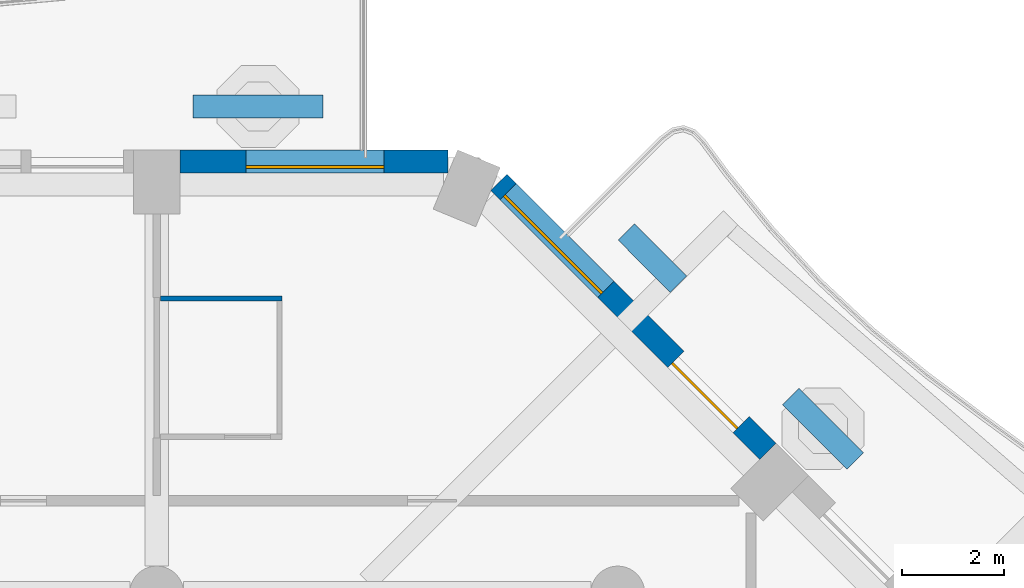
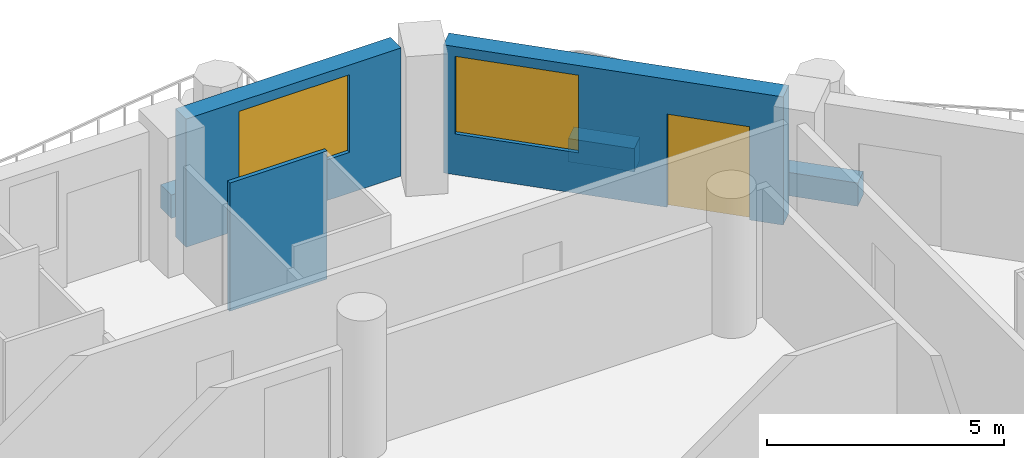
# One storey, part 10 of 20: 6 walls, 2 windows, 1 door, 3 openings.
"""IFC4 building model written with IfcOpenShell, lengths in metres."""

import ifcopenshell
import ifcopenshell.guid

model = None  # the IFC model being written
_history = None  # IfcOwnerHistory: only IFC2X3 demands one
_inside = {}  # id of a spatial element -> (the spatial element, [elements in it])
_under = {}  # id of a project, library or spatial element -> (it, [spatial elements below it])
_declared = {}  # id of a project -> (the project, [libraries it declares])
_typed = {}  # id of a type object -> (the type object, [elements of that type])
_made_of = {}  # id of a material, layer set ... -> (it, [elements and type objects made of it])


def new_model(schema):
    """Start an empty IFC model of exactly this schema.

    Asked for "IFC4X3", IfcOpenShell would pick the latest addendum, in which some entities
    have other attributes; the version numbers below select the first issue.
    IFC2X3 requires an IfcOwnerHistory on every rooted entity: one is made here for all.
    """
    global model, _history
    if schema == "IFC4X3":
        model = ifcopenshell.file(schema_version=(4, 3, 0, 0))
    else:
        model = ifcopenshell.file(schema=schema)
    _inside.clear()
    _under.clear()
    _declared.clear()
    _typed.clear()
    _made_of.clear()
    _history = None
    if model.schema == "IFC2X3":
        org = make("IfcOrganization", Name="unknown")
        user = make(
            "IfcPersonAndOrganization",
            ThePerson=make("IfcPerson", FamilyName="unknown"),
            TheOrganization=org,
        )
        app = make(
            "IfcApplication",
            ApplicationDeveloper=org,
            Version="unknown",
            ApplicationFullName="unknown",
            ApplicationIdentifier="unknown",
        )
        _history = make(
            "IfcOwnerHistory",
            OwningUser=user,
            OwningApplication=app,
            ChangeAction="ADDED",
            CreationDate=0,
        )
    return model


def make(cls, **values):
    """One entity of the class cls with the attributes given. An attribute that is None is left unset."""
    return model.create_entity(
        cls, **{name: value for name, value in values.items() if value is not None}
    )


def rooted(cls, **values):
    """An entity with a GlobalId (a new one), such as an element, a storey or a relation."""
    return make(cls, GlobalId=ifcopenshell.guid.new(), OwnerHistory=_history, **values)


def si_unit(unit_type, name, prefix=None):
    """IfcSIUnit, for example si_unit("LENGTHUNIT", "METRE", prefix="MILLI")."""
    return make("IfcSIUnit", UnitType=unit_type, Prefix=prefix, Name=name)


def assignment(units):
    """IfcUnitAssignment: the units of a project."""
    return None if units is None else make("IfcUnitAssignment", Units=units)


def point(xyz):
    """IfcCartesianPoint."""
    return None if xyz is None else make("IfcCartesianPoint", Coordinates=xyz)


def direction(xyz):
    """IfcDirection."""
    return None if xyz is None else make("IfcDirection", DirectionRatios=xyz)


def frame(location, z_axis=None, x_axis=None):
    """IfcAxis2Placement3D, a coordinate frame: its origin and axes. An axis left out is left unset."""
    return make(
        "IfcAxis2Placement3D",
        Location=point(location),
        Axis=direction(z_axis),
        RefDirection=direction(x_axis),
    )


def frame_2d(location, x_axis=None):
    """IfcAxis2Placement2D, a coordinate frame in the plane: its origin and x axis."""
    return make(
        "IfcAxis2Placement2D", Location=point(location), RefDirection=direction(x_axis)
    )


def origin():
    """The frame at (0, 0, 0) with its axes left unset."""
    return frame((0.0, 0.0, 0.0))


def place(relative_to, where):
    """IfcLocalPlacement: puts the frame where relative to a parent placement (None: the world)."""
    return make(
        "IfcLocalPlacement", PlacementRelTo=relative_to, RelativePlacement=where
    )


def context(
    kind, dimensions, precision=None, world=None, true_north=None, identifier=None
):
    """IfcGeometricRepresentationContext, for example the 3D "Model" context."""
    return make(
        "IfcGeometricRepresentationContext",
        ContextIdentifier=identifier,
        ContextType=kind,
        CoordinateSpaceDimension=dimensions,
        Precision=precision,
        WorldCoordinateSystem=world,
        TrueNorth=true_north,
    )


def subcontext(parent, identifier, kind, view, scale=None):
    """IfcGeometricRepresentationSubContext, for example "Body" below "Model"."""
    return make(
        "IfcGeometricRepresentationSubContext",
        ContextIdentifier=identifier,
        ContextType=kind,
        ParentContext=parent,
        TargetScale=scale,
        TargetView=view,
    )


def project(units=None, contexts=None):
    """IfcProject with its units and contexts."""
    return rooted(
        "IfcProject",
        Name="project",
        RepresentationContexts=contexts,
        UnitsInContext=assignment(units),
    )


def spatial(cls, under=None, at=None, **own):
    """A site, building, storey or space (cls), placed at a placement, below another one or the project."""
    s = rooted(cls, ObjectPlacement=at, **own)
    if under is not None:
        _under.setdefault(under.id(), (under, []))[1].append(s)
    return s


def profile(cls, at=None, kind="AREA", **sizes):
    """A parametric profile (cls). Its sizes go by their IFC names, for example OverallWidth=200.0."""
    return make(cls, ProfileType=kind, Position=at, **sizes)


def rectangle(**sizes):
    """IfcRectangleProfileDef."""
    return profile("IfcRectangleProfileDef", **sizes)


def extrude(swept, where, along, depth):
    """IfcExtrudedAreaSolid: the profile swept, set in the frame where, extruded along a direction by depth."""
    return make(
        "IfcExtrudedAreaSolid",
        SweptArea=swept,
        Position=where,
        ExtrudedDirection=direction(along),
        Depth=depth,
    )


def shape(context_of_items, identifier, shape_type, items):
    """IfcShapeRepresentation: the items that make up one representation, for example the "Body"."""
    return make(
        "IfcShapeRepresentation",
        ContextOfItems=context_of_items,
        RepresentationIdentifier=identifier,
        RepresentationType=shape_type,
        Items=items,
    )


def material(Name=None, Category=None):
    """IfcMaterial."""
    return make("IfcMaterial", Name=Name, Category=Category)


def layer(
    of_material, thickness, ventilated=None, Name=None, Category=None, Priority=None
):
    """IfcMaterialLayer: one layer of a wall or slab, of a material (None: an air gap)."""
    return make(
        "IfcMaterialLayer",
        Material=of_material,
        LayerThickness=thickness,
        IsVentilated=ventilated,
        Name=Name,
        Category=Category,
        Priority=Priority,
    )


def layer_set(layers, Name=None):
    """IfcMaterialLayerSet."""
    return make("IfcMaterialLayerSet", MaterialLayers=layers, LayerSetName=Name)


def made_of(thing, what):
    """Note that an element or type object is made of a material, layer set ...; save() writes the relation."""
    if what is not None:
        _made_of.setdefault(what.id(), (what, []))[1].append(thing)
    return thing


def type_object(cls, material=None, **own):
    """A type object (cls), such as IfcWallType, which elements share."""
    return made_of(rooted(cls, **own), material)


def element(
    cls,
    number,
    at=None,
    inside=None,
    cuts=None,
    type_object=None,
    material=None,
    context=None,
    identifier="Body",
    shape_type=None,
    held_by="IfcProductDefinitionShape",
    body=None,
    shapes=None,
    **own,
):
    """One element of the class cls, such as IfcWall. Its Tag is "e" and its number.

    at: its placement. inside: the storey or other place that contains it. cuts: it is an
    opening in that element (IfcRelVoidsElement). A single representation is given by context,
    identifier, shape_type and body (its items); several are given by shapes. held_by: the class
    of the entity that holds the representations. save() writes the other relations.
    """
    e = rooted(cls, Tag="e%d" % number, ObjectPlacement=at, **own)
    if body is not None:
        shapes = [shape(context, identifier, shape_type, body)]
    if shapes is not None:
        e.Representation = make(held_by, Representations=shapes)
    if inside is not None:
        _inside.setdefault(inside.id(), (inside, []))[1].append(e)
    if cuts is not None:
        rooted(
            "IfcRelVoidsElement", RelatingBuildingElement=cuts, RelatedOpeningElement=e
        )
    if type_object is not None:
        _typed.setdefault(type_object.id(), (type_object, []))[1].append(e)
    return made_of(e, material)


def fill(opening, filler):
    """IfcRelFillsElement: the door or window that sits in an opening."""
    return rooted(
        "IfcRelFillsElement",
        RelatingOpeningElement=opening,
        RelatedBuildingElement=filler,
    )


def aggregate(whole, parts):
    """IfcRelAggregates: a whole, such as a stair, and the parts it consists of."""
    return rooted("IfcRelAggregates", RelatingObject=whole, RelatedObjects=parts)


def save(model, path):
    """Write the relations noted so far, then the file.

    IfcRelAggregates (storeys below a building ...), IfcRelContainedInSpatialStructure (elements
    in a storey), IfcRelDefinesByType, IfcRelAssociatesMaterial and IfcRelDeclares: one each for
    every whole, place, type object, material and project.
    """
    for whole, parts in _under.values():
        aggregate(whole, parts)
    for where, things in _inside.values():
        rooted(
            "IfcRelContainedInSpatialStructure",
            RelatedElements=things,
            RelatingStructure=where,
        )
    for kind, things in _typed.values():
        rooted("IfcRelDefinesByType", RelatedObjects=things, RelatingType=kind)
    for what, things in _made_of.values():
        rooted("IfcRelAssociatesMaterial", RelatedObjects=things, RelatingMaterial=what)
    for by, libraries in _declared.values():
        rooted("IfcRelDeclares", RelatingContext=by, RelatedDefinitions=libraries)
    model.write(path)


model = new_model("IFC4")

# Units and contexts
model_context = context("Model", 3, precision=1e-05, world=origin(), true_north=direction((0.0, 1.0)))
body_context = subcontext(model_context, "Body", "Model", "MODEL_VIEW")
ifc_project = project(units=[si_unit("LENGTHUNIT", "METRE"), si_unit("AREAUNIT", "SQUARE_METRE"), si_unit("VOLUMEUNIT", "CUBIC_METRE"), si_unit("PLANEANGLEUNIT", "RADIAN"), si_unit("MASSUNIT", "GRAM", prefix="KILO")], contexts=[model_context])

# Site, building, storey
site_placement = place(None, origin())
site = spatial("IfcSite", under=ifc_project, at=site_placement, CompositionType="ELEMENT")
building_placement = place(site_placement, origin())
building = spatial("IfcBuilding", under=site, at=building_placement, Name="Cypress Arch Tower", CompositionType="ELEMENT")
storey_placement = place(building_placement, frame((0.0, 0.0, 120.300048828125)))
storey = spatial("IfcBuildingStorey", under=building, at=storey_placement, Name="L25", CompositionType="ELEMENT", Elevation=120.300048828125)

# Walls
ifc_material_1 = material(Name="Concrete C40/50, waterproofed", Category="concrete")
ifc_layer_1 = layer(ifc_material_1, 0.449951171875)
ifc_layer_set_1 = layer_set([ifc_layer_1], Name="Balcony planter wall PW450")
wall_type_1 = type_object("IfcWallType", Name="Balcony planter wall PW450", PredefinedType="SOLIDWALL", material=ifc_layer_set_1)
wall_1_placement = place(storey_placement, frame((19.9365234375, 20.07763671875, 0.0), z_axis=(0.0, 0.0, 1.0), x_axis=(-0.707106781187, 0.707106781187, 0.0)))
element("IfcWall", 1, at=wall_1_placement, inside=storey, type_object=wall_type_1, Name="Balcony planter wall L25-A07.2", PredefinedType="SOLIDWALL", context=body_context, shape_type="SweptSolid", body=[
    extrude(rectangle(XDim=1.780517578125, YDim=0.449951171875, at=frame_2d((0.89013671875, 0.0))), origin(), (0.0, 0.0, 1.0), 0.599853515625),
])
wall_2_placement = place(storey_placement, frame((16.485595703125, 23.528564453125, 0.0), z_axis=(0.0, 0.0, 1.0), x_axis=(-0.707022305137, 0.707191247145, 0.0)))
element("IfcWall", 2, at=wall_2_placement, inside=storey, type_object=wall_type_1, Name="Balcony planter wall L25-A07.3", PredefinedType="SOLIDWALL", context=body_context, shape_type="SweptSolid", body=[
    extrude(rectangle(XDim=1.445068359375, YDim=0.449951171875, at=frame_2d((0.72265625, 0.0))), origin(), (0.0, 0.0, 1.0), 0.599853515625),
])
wall_3_placement = place(storey_placement, frame((9.550048828125, 27.0, 0.0), z_axis=(0.0, 0.0, 1.0), x_axis=(-1.0, 0.0, 0.0)))
element("IfcWall", 3, at=wall_3_placement, inside=storey, type_object=wall_type_1, Name="Balcony planter wall L25-A08.1", PredefinedType="SOLIDWALL", context=body_context, shape_type="SweptSolid", body=[
    extrude(rectangle(XDim=2.53759765625, YDim=0.449951171875, at=frame_2d((1.268798828125, 0.0))), origin(), (0.0, 0.0, 1.0), 0.599853515625),
])

# Wall, openings, door, window
ifc_material_2 = material(Name="Brick (red buff blend)", Category="masonry")
ifc_layer_2 = layer(ifc_material_2, 0.449951171875)
ifc_layer_set_2 = layer_set([ifc_layer_2], Name="Brick pier and spandrel wall BW450")
wall_type_2 = type_object("IfcWallType", Name="Brick pier and spandrel wall BW450", PredefinedType="SOLIDWALL", material=ifc_layer_set_2)
wall_4_placement = place(storey_placement, frame((18.228759765625, 20.26513671875, 0.0), z_axis=(0.0, 0.0, 1.0), x_axis=(-0.707106781187, 0.707106781187, 0.0)))
wall_4 = element("IfcWall", 4, at=wall_4_placement, inside=storey, type_object=wall_type_2, Name="Brick wall L25 A07.1", PredefinedType="SOLIDWALL", context=body_context, shape_type="SweptSolid", body=[
    extrude(rectangle(XDim=7.423828125, YDim=0.449951171875, at=frame_2d((3.7119140625, 0.0))), origin(), (0.0, 0.0, 1.0), 3.300048828125),
])
opening_1_placement = place(wall_4_placement, frame((0.740234375, 0.0, 0.0)))
opening_1 = element("IfcOpeningElement", 5, at=opening_1_placement, cuts=wall_4, Name="Opening D-L25-A07.1.1", PredefinedType="OPENING", context=body_context, shape_type="SweptSolid", body=[
    extrude(rectangle(XDim=1.800048828125, YDim=2.39990234375, at=frame_2d((0.89990234375, 1.199951171875))), frame((0.0, 0.23486328125, 0.0), z_axis=(0.0, -1.0, 0.0), x_axis=(1.0, 0.0, 0.0)), (0.0, 0.0, 1.0), 0.469970703125),
])
opening_2_placement = place(wall_4_placement, frame((4.470703125, 0.0, 1.050048828125)))
opening_2 = element("IfcOpeningElement", 6, at=opening_2_placement, cuts=wall_4, Name="Opening W270HD", PredefinedType="OPENING", context=body_context, shape_type="SweptSolid", body=[
    extrude(rectangle(XDim=2.699951171875, YDim=2.0, at=frame_2d((1.35009765625, 1.0))), frame((0.0, 0.23486328125, 0.0), z_axis=(0.0, -1.0, 0.0), x_axis=(1.0, 0.0, 0.0)), (0.0, 0.0, 1.0), 0.469970703125),
])
ifc_material_3 = material(Name="Anodised aluminium, bronze finish, laminated low-emissivity double glazing, large-missile impact rated", Category="aluminium")
door_type = type_object("IfcDoorType", Name="Balcony sliding door 1800x2400", OperationType="SLIDING_TO_LEFT", PredefinedType="DOOR", material=ifc_material_3)
door_placement = place(opening_1_placement, origin())
door = element("IfcDoor", 7, at=door_placement, inside=storey, type_object=door_type, Name="Balcony door L25 A07.1.1", OperationType="SLIDING_TO_LEFT", OverallHeight=2.39990234375, OverallWidth=1.800048828125, PredefinedType="DOOR", context=body_context, shape_type="SweptSolid", body=[
    extrude(rectangle(XDim=1.800048828125, YDim=2.39990234375, at=frame_2d((0.89990234375, 1.199951171875))), frame((0.0, 0.1298828125, 0.0), z_axis=(0.0, -1.0, 0.0), x_axis=(1.0, 0.0, 0.0)), (0.0, 0.0, 1.0), 0.050048828125),
])
fill(opening_1, door)
ifc_material_4 = material(Name="Anodised aluminium, bronze finish, laminated low-emissivity double glazing, large-missile impact rated", Category="aluminium")
window_type = type_object("IfcWindowType", Name="Window Hotel 2700x2000 debris-rated", PartitioningType="SINGLE_PANEL", PredefinedType="WINDOW", material=ifc_material_4)
window_1_placement = place(opening_2_placement, origin())
window_1 = element("IfcWindow", 8, at=window_1_placement, inside=storey, type_object=window_type, Name="Window L25 A07.1.2", OverallHeight=2.0, OverallWidth=2.699951171875, PartitioningType="SINGLE_PANEL", PredefinedType="WINDOW", context=body_context, shape_type="SweptSolid", body=[
    extrude(rectangle(XDim=2.699951171875, YDim=2.0, at=frame_2d((1.35009765625, 1.0))), frame((0.0, 0.135009765625, 0.0), z_axis=(0.0, -1.0, 0.0), x_axis=(1.0, 0.0, 0.0)), (0.0, 0.0, 1.0), 0.06005859375),
])
fill(opening_2, window_1)

# Wall, opening, window
wall_5_placement = place(storey_placement, frame((11.98876953125, 25.925048828125, 0.0), z_axis=(0.0, 0.0, 1.0), x_axis=(-1.0, 0.0, 0.0)))
wall_5 = element("IfcWall", 9, at=wall_5_placement, inside=storey, type_object=wall_type_2, Name="Brick wall L25 A08.0", PredefinedType="SOLIDWALL", context=body_context, shape_type="SweptSolid", body=[
    extrude(rectangle(XDim=5.23876953125, YDim=0.449951171875, at=frame_2d((2.619384765625, 0.0))), origin(), (0.0, 0.0, 1.0), 3.300048828125),
])
opening_3_placement = place(wall_5_placement, frame((1.250732421875, 0.0, 1.050048828125)))
opening_3 = element("IfcOpeningElement", 10, at=opening_3_placement, cuts=wall_5, Name="Opening W270HD", PredefinedType="OPENING", context=body_context, shape_type="SweptSolid", body=[
    extrude(rectangle(XDim=2.699951171875, YDim=2.0, at=frame_2d((1.35009765625, 1.0))), frame((0.0, 0.23486328125, 0.0), z_axis=(0.0, -1.0, 0.0), x_axis=(1.0, 0.0, 0.0)), (0.0, 0.0, 1.0), 0.469970703125),
])
window_2_placement = place(opening_3_placement, origin())
window_2 = element("IfcWindow", 11, at=window_2_placement, inside=storey, type_object=window_type, Name="Window L25 A08.0.1", OverallHeight=2.0, OverallWidth=2.699951171875, PartitioningType="SINGLE_PANEL", PredefinedType="WINDOW", context=body_context, shape_type="SweptSolid", body=[
    extrude(rectangle(XDim=2.699951171875, YDim=2.0, at=frame_2d((1.35009765625, 1.0))), frame((0.0, 0.135009765625, 0.0), z_axis=(0.0, -1.0, 0.0), x_axis=(1.0, 0.0, 0.0)), (0.0, 0.0, 1.0), 0.06005859375),
])
fill(opening_3, window_2)

# Wall
ifc_material_5 = material(Name="Moisture resistant board on steel studs, tiled", Category="steel")
ifc_layer_3 = layer(ifc_material_5, 0.10009765625)
ifc_layer_set_3 = layer_set([ifc_layer_3], Name="Wet wall PW100")
wall_type_3 = type_object("IfcWallType", Name="Wet wall PW100", PredefinedType="PARTITIONING", material=ifc_layer_set_3)
wall_6_placement = place(storey_placement, frame((6.375, 23.25, 0.0), z_axis=(0.0, 0.0, 1.0), x_axis=(1.0, 0.0, 0.0)))
element("IfcWall", 12, at=wall_6_placement, inside=storey, type_object=wall_type_3, Name="Wet wall", PredefinedType="PARTITIONING", context=body_context, shape_type="SweptSolid", body=[
    extrude(rectangle(XDim=2.37109375, YDim=0.10009765625, at=frame_2d((1.185546875, 0.0))), origin(), (0.0, 0.0, 1.0), 3.300048828125),
])

save(model, "model.ifc")
